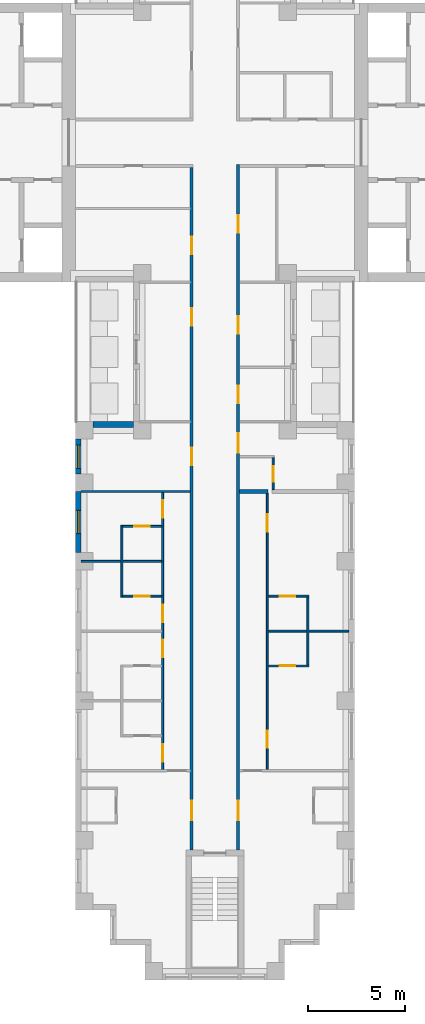
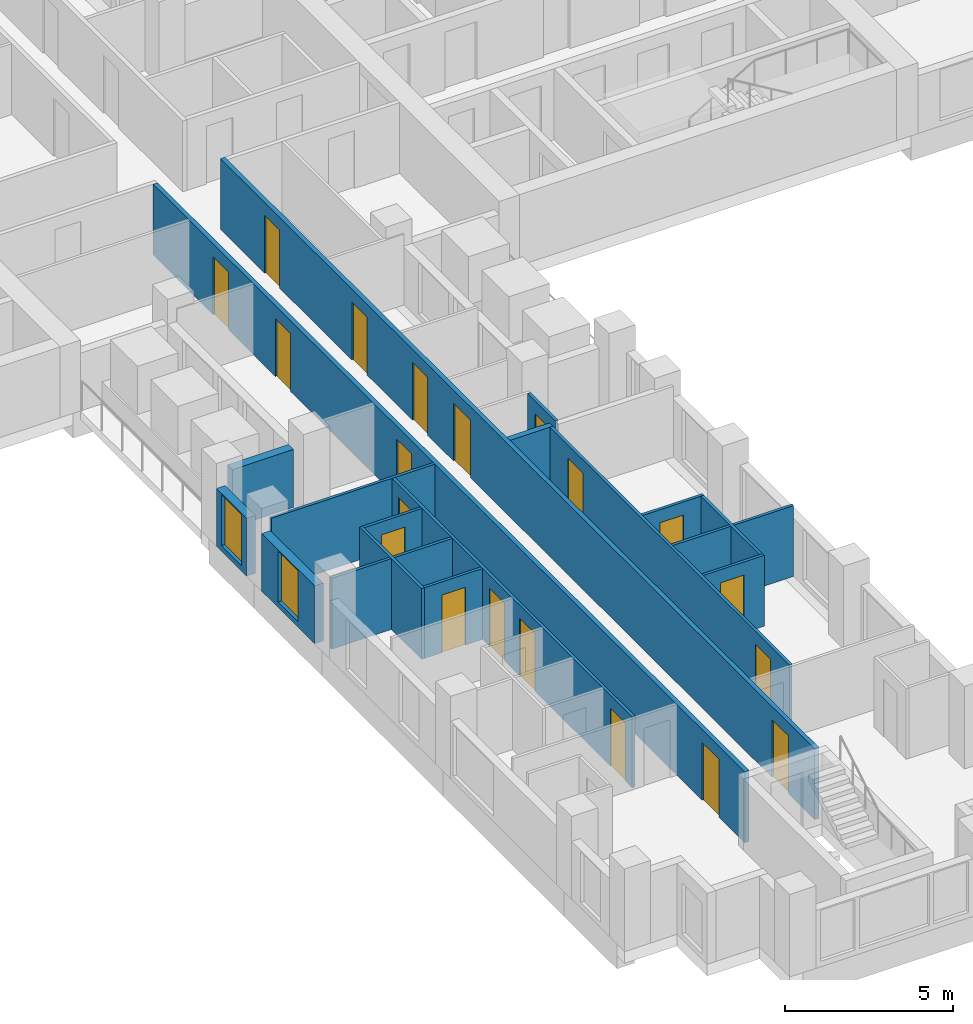
# One storey, part 4 of 13: 20 doors, 18 walls, 2 windows, 22 openings.
"""IFC4 building model written with IfcOpenShell, lengths in metres."""

from ifc_helpers import new_model, si_unit, direction, frame, frame_2d, origin, place, context, subcontext, project, spatial, rectangle, extrude, material, layer, layer_set, type_object, element, fill, save


model = new_model("IFC4")

# Units and contexts
model_context = context("Model", 3, precision=1e-05, world=origin(), true_north=direction((0.0, 1.0)))
body_context = subcontext(model_context, "Body", "Model", "MODEL_VIEW")
ifc_project = project(units=[si_unit("LENGTHUNIT", "METRE"), si_unit("AREAUNIT", "SQUARE_METRE"), si_unit("VOLUMEUNIT", "CUBIC_METRE"), si_unit("PLANEANGLEUNIT", "RADIAN"), si_unit("MASSUNIT", "GRAM", prefix="KILO")], contexts=[model_context])

# Site, building, storey
site_placement = place(None, origin())
site = spatial("IfcSite", under=ifc_project, at=site_placement, CompositionType="ELEMENT")
building_placement = place(site_placement, origin())
building = spatial("IfcBuilding", under=site, at=building_placement, Name="Fustian Cross Tower", CompositionType="ELEMENT")
storey_placement = place(building_placement, frame((0.0, 0.0, 84.89990234375)))
storey = spatial("IfcBuildingStorey", under=building, at=storey_placement, Name="L26", CompositionType="ELEMENT", Elevation=84.89990234375)

# Wall, openings, doors
ifc_material_1 = material(Name="Plasterboard on steel stud", Category="steel")
ifc_layer_1 = layer(ifc_material_1, 0.14990234375)
ifc_layer_set_1 = layer_set([ifc_layer_1], Name="Plasterboard on steel stud")
wall_type_1 = type_object("IfcWallType", Name="COMPARTMENT WALL 150 EI 60", PredefinedType="PARTITIONING", material=ifc_layer_set_1)
wall_1_placement = place(storey_placement, frame((-1.199951171875, -36.5, 0.0), z_axis=(0.0, 0.0, 1.0), x_axis=(0.0, 1.0, 0.0)))
wall_1 = element("IfcWall", 1, at=wall_1_placement, inside=storey, type_object=wall_type_1, Name="Partition 38", PredefinedType="PARTITIONING", context=body_context, shape_type="SweptSolid", body=[
    extrude(rectangle(XDim=35.22509765625, YDim=0.14990234375, at=frame_2d((17.612548828125, 0.0))), origin(), (0.0, 0.0, 1.0), 2.5751953125),
])
opening_1_placement = place(wall_1_placement, frame((30.75, 0.0, 0.0)))
opening_1 = element("IfcOpeningElement", 2, at=opening_1_placement, cuts=wall_1, Name="Opening D13008", PredefinedType="OPENING", context=body_context, shape_type="SweptSolid", body=[
    extrude(rectangle(XDim=0.89990234375, YDim=2.10009765625, at=frame_2d((0.449951171875, 1.050048828125))), frame((0.0, 0.0849609375, 0.0), z_axis=(0.0, -1.0, 0.0), x_axis=(1.0, 0.0, 0.0)), (0.0, 0.0, 1.0), 0.169921875),
])
opening_2_placement = place(wall_1_placement, frame((27.050048828125, 0.0, 0.0)))
opening_2 = element("IfcOpeningElement", 3, at=opening_2_placement, cuts=wall_1, Name="Opening D13043", PredefinedType="OPENING", context=body_context, shape_type="SweptSolid", body=[
    extrude(rectangle(XDim=0.89990234375, YDim=2.10009765625, at=frame_2d((0.449951171875, 1.050048828125))), frame((0.0, 0.0849609375, 0.0), z_axis=(0.0, -1.0, 0.0), x_axis=(1.0, 0.0, 0.0)), (0.0, 0.0, 1.0), 0.169921875),
])
opening_3_placement = place(wall_1_placement, frame((19.85009765625, 0.0, 0.0)))
opening_3 = element("IfcOpeningElement", 4, at=opening_3_placement, cuts=wall_1, Name="Opening D13044", PredefinedType="OPENING", context=body_context, shape_type="SweptSolid", body=[
    extrude(rectangle(XDim=0.89990234375, YDim=2.10009765625, at=frame_2d((0.449951171875, 1.050048828125))), frame((0.0, 0.0849609375, 0.0), z_axis=(0.0, -1.0, 0.0), x_axis=(1.0, 0.0, 0.0)), (0.0, 0.0, 1.0), 0.169921875),
])
opening_4_placement = place(wall_1_placement, frame((1.550048828125, 0.0, 0.0)))
opening_4 = element("IfcOpeningElement", 5, at=opening_4_placement, cuts=wall_1, Name="Opening D13046", PredefinedType="OPENING", context=body_context, shape_type="SweptSolid", body=[
    extrude(rectangle(XDim=1.0, YDim=2.10009765625, at=frame_2d((0.5, 1.050048828125))), frame((0.0, 0.0849609375, 0.0), z_axis=(0.0, -1.0, 0.0), x_axis=(1.0, 0.0, 0.0)), (0.0, 0.0, 1.0), 0.169921875),
])
ifc_material_2 = material(Name="Timber fire door set", Category="wood")
door_type_1 = type_object("IfcDoorType", Name="FIRE SWING DOOR 1000 FD30S", OperationType="SINGLE_SWING_LEFT", PredefinedType="DOOR", material=ifc_material_2)
door_1_placement = place(opening_4_placement, origin())
door_1 = element("IfcDoor", 6, at=door_1_placement, inside=storey, type_object=door_type_1, Name="Door D13046", OperationType="SINGLE_SWING_RIGHT", OverallHeight=2.10009765625, OverallWidth=1.0, PredefinedType="DOOR", context=body_context, shape_type="SweptSolid", body=[
    extrude(rectangle(XDim=1.0, YDim=2.10009765625, at=frame_2d((0.5, 1.050048828125))), frame((0.0, 0.02490234375, 0.0), z_axis=(0.0, -1.0, 0.0), x_axis=(1.0, 0.0, 0.0)), (0.0, 0.0, 1.0), 0.050048828125),
])
fill(opening_4, door_1)
ifc_material_3 = material(Name="Timber fire door set", Category="wood")
door_type_2 = type_object("IfcDoorType", Name="FIRE SWING DOOR 900 FD30S", OperationType="SINGLE_SWING_LEFT", PredefinedType="DOOR", material=ifc_material_3)
door_2_placement = place(opening_1_placement, origin())
door_2 = element("IfcDoor", 7, at=door_2_placement, inside=storey, type_object=door_type_2, Name="Door D13008", OperationType="SINGLE_SWING_RIGHT", OverallHeight=2.10009765625, OverallWidth=0.89990234375, PredefinedType="DOOR", context=body_context, shape_type="SweptSolid", body=[
    extrude(rectangle(XDim=0.89990234375, YDim=2.10009765625, at=frame_2d((0.449951171875, 1.050048828125))), frame((0.0, 0.02490234375, 0.0), z_axis=(0.0, -1.0, 0.0), x_axis=(1.0, 0.0, 0.0)), (0.0, 0.0, 1.0), 0.050048828125),
])
fill(opening_1, door_2)
door_3_placement = place(opening_2_placement, origin())
door_3 = element("IfcDoor", 8, at=door_3_placement, inside=storey, type_object=door_type_2, Name="Door D13043", OperationType="SINGLE_SWING_RIGHT", OverallHeight=2.10009765625, OverallWidth=0.89990234375, PredefinedType="DOOR", context=body_context, shape_type="SweptSolid", body=[
    extrude(rectangle(XDim=0.89990234375, YDim=2.10009765625, at=frame_2d((0.449951171875, 1.050048828125))), frame((0.0, 0.02490234375, 0.0), z_axis=(0.0, -1.0, 0.0), x_axis=(1.0, 0.0, 0.0)), (0.0, 0.0, 1.0), 0.050048828125),
])
fill(opening_2, door_3)
door_4_placement = place(opening_3_placement, origin())
door_4 = element("IfcDoor", 9, at=door_4_placement, inside=storey, type_object=door_type_2, Name="Door D13044", OperationType="SINGLE_SWING_LEFT", OverallHeight=2.10009765625, OverallWidth=0.89990234375, PredefinedType="DOOR", context=body_context, shape_type="SweptSolid", body=[
    extrude(rectangle(XDim=0.89990234375, YDim=2.10009765625, at=frame_2d((0.449951171875, 1.050048828125))), frame((0.0, 0.02490234375, 0.0), z_axis=(0.0, -1.0, 0.0), x_axis=(1.0, 0.0, 0.0)), (0.0, 0.0, 1.0), 0.050048828125),
])
fill(opening_3, door_4)

wall_2_placement = place(storey_placement, frame((1.199951171875, -36.5, 0.0), z_axis=(0.0, 0.0, 1.0), x_axis=(0.0, 1.0, 0.0)))
wall_2 = element("IfcWall", 10, at=wall_2_placement, inside=storey, type_object=wall_type_1, Name="Partition 41", PredefinedType="PARTITIONING", context=body_context, shape_type="SweptSolid", body=[
    extrude(rectangle(XDim=35.375, YDim=0.14990234375, at=frame_2d((17.6875, 0.0))), origin(), (0.0, 0.0, 1.0), 2.5751953125),
])
opening_5_placement = place(wall_2_placement, frame((31.85009765625, 0.0, 0.0)))
opening_5 = element("IfcOpeningElement", 11, at=opening_5_placement, cuts=wall_2, Name="Opening D13005", PredefinedType="OPENING", context=body_context, shape_type="SweptSolid", body=[
    extrude(rectangle(XDim=0.89990234375, YDim=2.10009765625, at=frame_2d((0.449951171875, 1.050048828125))), frame((0.0, 0.0849609375, 0.0), z_axis=(0.0, -1.0, 0.0), x_axis=(1.0, 0.0, 0.0)), (0.0, 0.0, 1.0), 0.169921875),
])
opening_6_placement = place(wall_2_placement, frame((23.050048828125, 0.0, 0.0)))
opening_6 = element("IfcOpeningElement", 12, at=opening_6_placement, cuts=wall_2, Name="Opening D13032", PredefinedType="OPENING", context=body_context, shape_type="SweptSolid", body=[
    extrude(rectangle(XDim=0.89990234375, YDim=2.10009765625, at=frame_2d((0.449951171875, 1.050048828125))), frame((0.0, 0.0849609375, 0.0), z_axis=(0.0, -1.0, 0.0), x_axis=(1.0, 0.0, 0.0)), (0.0, 0.0, 1.0), 0.169921875),
])
opening_7_placement = place(wall_2_placement, frame((26.64990234375, 0.0, 0.0)))
opening_7 = element("IfcOpeningElement", 13, at=opening_7_placement, cuts=wall_2, Name="Opening D13033", PredefinedType="OPENING", context=body_context, shape_type="SweptSolid", body=[
    extrude(rectangle(XDim=0.89990234375, YDim=2.10009765625, at=frame_2d((0.449951171875, 1.050048828125))), frame((0.0, 0.0849609375, 0.0), z_axis=(0.0, -1.0, 0.0), x_axis=(1.0, 0.0, 0.0)), (0.0, 0.0, 1.0), 0.169921875),
])
opening_8_placement = place(wall_2_placement, frame((20.5, 0.0, 0.0)))
opening_8 = element("IfcOpeningElement", 14, at=opening_8_placement, cuts=wall_2, Name="Opening D13035", PredefinedType="OPENING", context=body_context, shape_type="SweptSolid", body=[
    extrude(rectangle(XDim=1.0, YDim=2.10009765625, at=frame_2d((0.5, 1.050048828125))), frame((0.0, 0.0849609375, 0.0), z_axis=(0.0, -1.0, 0.0), x_axis=(1.0, 0.0, 0.0)), (0.0, 0.0, 1.0), 0.169921875),
])
opening_9_placement = place(wall_2_placement, frame((1.550048828125, 0.0, 0.0)))
opening_9 = element("IfcOpeningElement", 15, at=opening_9_placement, cuts=wall_2, Name="Opening D13037", PredefinedType="OPENING", context=body_context, shape_type="SweptSolid", body=[
    extrude(rectangle(XDim=1.0, YDim=2.10009765625, at=frame_2d((0.5, 1.050048828125))), frame((0.0, 0.0849609375, 0.0), z_axis=(0.0, -1.0, 0.0), x_axis=(1.0, 0.0, 0.0)), (0.0, 0.0, 1.0), 0.169921875),
])
door_5_placement = place(opening_8_placement, frame((1.0, 0.0, 0.0), z_axis=(0.0, 0.0, 1.0), x_axis=(-1.0, 0.0, 0.0)))
door_5 = element("IfcDoor", 16, at=door_5_placement, inside=storey, type_object=door_type_1, Name="Door D13035", OperationType="SINGLE_SWING_RIGHT", OverallHeight=2.10009765625, OverallWidth=1.0, PredefinedType="DOOR", context=body_context, shape_type="SweptSolid", body=[
    extrude(rectangle(XDim=1.0, YDim=2.10009765625, at=frame_2d((0.5, 1.050048828125))), frame((0.0, 0.02490234375, 0.0), z_axis=(0.0, -1.0, 0.0), x_axis=(1.0, 0.0, 0.0)), (0.0, 0.0, 1.0), 0.050048828125),
])
fill(opening_8, door_5)
door_6_placement = place(opening_9_placement, frame((1.0, 0.0, 0.0), z_axis=(0.0, 0.0, 1.0), x_axis=(-1.0, 0.0, 0.0)))
door_6 = element("IfcDoor", 17, at=door_6_placement, inside=storey, type_object=door_type_1, Name="Door D13037", OperationType="SINGLE_SWING_LEFT", OverallHeight=2.10009765625, OverallWidth=1.0, PredefinedType="DOOR", context=body_context, shape_type="SweptSolid", body=[
    extrude(rectangle(XDim=1.0, YDim=2.10009765625, at=frame_2d((0.5, 1.050048828125))), frame((0.0, 0.02490234375, 0.0), z_axis=(0.0, -1.0, 0.0), x_axis=(1.0, 0.0, 0.0)), (0.0, 0.0, 1.0), 0.050048828125),
])
fill(opening_9, door_6)
door_7_placement = place(opening_5_placement, frame((0.89990234375, 0.0, 0.0), z_axis=(0.0, 0.0, 1.0), x_axis=(-1.0, 0.0, 0.0)))
door_7 = element("IfcDoor", 18, at=door_7_placement, inside=storey, type_object=door_type_2, Name="Door D13005", OperationType="SINGLE_SWING_RIGHT", OverallHeight=2.10009765625, OverallWidth=0.89990234375, PredefinedType="DOOR", context=body_context, shape_type="SweptSolid", body=[
    extrude(rectangle(XDim=0.89990234375, YDim=2.10009765625, at=frame_2d((0.449951171875, 1.050048828125))), frame((0.0, 0.02490234375, 0.0), z_axis=(0.0, -1.0, 0.0), x_axis=(1.0, 0.0, 0.0)), (0.0, 0.0, 1.0), 0.050048828125),
])
fill(opening_5, door_7)
door_8_placement = place(opening_6_placement, frame((0.89990234375, 0.0, 0.0), z_axis=(0.0, 0.0, 1.0), x_axis=(-1.0, 0.0, 0.0)))
door_8 = element("IfcDoor", 19, at=door_8_placement, inside=storey, type_object=door_type_2, Name="Door D13032", OperationType="SINGLE_SWING_RIGHT", OverallHeight=2.10009765625, OverallWidth=0.89990234375, PredefinedType="DOOR", context=body_context, shape_type="SweptSolid", body=[
    extrude(rectangle(XDim=0.89990234375, YDim=2.10009765625, at=frame_2d((0.449951171875, 1.050048828125))), frame((0.0, 0.02490234375, 0.0), z_axis=(0.0, -1.0, 0.0), x_axis=(1.0, 0.0, 0.0)), (0.0, 0.0, 1.0), 0.050048828125),
])
fill(opening_6, door_8)
door_9_placement = place(opening_7_placement, frame((0.89990234375, 0.0, 0.0), z_axis=(0.0, 0.0, 1.0), x_axis=(-1.0, 0.0, 0.0)))
door_9 = element("IfcDoor", 20, at=door_9_placement, inside=storey, type_object=door_type_2, Name="Door D13033", OperationType="SINGLE_SWING_RIGHT", OverallHeight=2.10009765625, OverallWidth=0.89990234375, PredefinedType="DOOR", context=body_context, shape_type="SweptSolid", body=[
    extrude(rectangle(XDim=0.89990234375, YDim=2.10009765625, at=frame_2d((0.449951171875, 1.050048828125))), frame((0.0, 0.02490234375, 0.0), z_axis=(0.0, -1.0, 0.0), x_axis=(1.0, 0.0, 0.0)), (0.0, 0.0, 1.0), 0.050048828125),
])
fill(opening_7, door_9)

# Walls
ifc_material_4 = material(Name="Plasterboard on steel stud", Category="steel")
ifc_layer_2 = layer(ifc_material_4, 0.10009765625)
ifc_layer_set_2 = layer_set([ifc_layer_2], Name="Plasterboard on steel stud")
wall_type_2 = type_object("IfcWallType", Name="PARTITION 100 STUD", PredefinedType="PARTITIONING", material=ifc_layer_set_2)
wall_3_placement = place(storey_placement, frame((-6.89990234375, -21.60009765625, 0.0), z_axis=(0.0, 0.0, 1.0), x_axis=(1.0, 0.0, 0.0)))
element("IfcWall", 21, at=wall_3_placement, inside=storey, type_object=wall_type_2, Name="Partition 22", PredefinedType="PARTITIONING", context=body_context, shape_type="SweptSolid", body=[
    extrude(rectangle(XDim=4.14990234375, YDim=0.10009765625, at=frame_2d((2.074951171875, 0.0))), origin(), (0.0, 0.0, 1.0), 2.5751953125),
])
wall_4_placement = place(storey_placement, frame((-6.89990234375, -18.0, 0.0), z_axis=(0.0, 0.0, 1.0), x_axis=(1.0, 0.0, 0.0)))
element("IfcWall", 22, at=wall_4_placement, inside=storey, type_object=wall_type_2, Name="Partition 23", PredefinedType="PARTITIONING", context=body_context, shape_type="SweptSolid", body=[
    extrude(rectangle(XDim=5.625, YDim=0.10009765625, at=frame_2d((2.8125, 0.0))), origin(), (0.0, 0.0, 1.0), 2.5751953125),
])
wall_5_placement = place(storey_placement, frame((-4.800048828125, -23.449951171875, 0.0), z_axis=(0.0, 0.0, 1.0), x_axis=(0.0, 1.0, 0.0)))
element("IfcWall", 23, at=wall_5_placement, inside=storey, type_object=wall_type_2, Name="Partition 28", PredefinedType="PARTITIONING", context=body_context, shape_type="SweptSolid", body=[
    extrude(rectangle(XDim=3.699951171875, YDim=0.10009765625, at=frame_2d((1.85009765625, 0.0))), origin(), (0.0, 0.0, 1.0), 2.5751953125),
])

# Wall, opening, door
wall_6_placement = place(storey_placement, frame((-4.75, -23.39990234375, 0.0), z_axis=(0.0, 0.0, 1.0), x_axis=(1.0, 0.0, 0.0)))
wall_6 = element("IfcWall", 24, at=wall_6_placement, inside=storey, type_object=wall_type_2, Name="Partition 29", PredefinedType="PARTITIONING", context=body_context, shape_type="SweptSolid", body=[
    extrude(rectangle(XDim=2.0, YDim=0.10009765625, at=frame_2d((1.0, 0.0))), origin(), (0.0, 0.0, 1.0), 2.5751953125),
])
opening_10_placement = place(wall_6_placement, frame((0.60009765625, 0.0, 0.0)))
opening_10 = element("IfcOpeningElement", 25, at=opening_10_placement, cuts=wall_6, Name="Opening D13053", PredefinedType="OPENING", context=body_context, shape_type="SweptSolid", body=[
    extrude(rectangle(XDim=0.800048828125, YDim=2.10009765625, at=frame_2d((0.39990234375, 1.050048828125))), frame((0.0, 0.06005859375, 0.0), z_axis=(0.0, -1.0, 0.0), x_axis=(1.0, 0.0, 0.0)), (0.0, 0.0, 1.0), 0.1201171875),
])
ifc_material_5 = material(Name="Painted timber", Category="wood")
door_type_3 = type_object("IfcDoorType", Name="SWING DOOR 800", OperationType="SINGLE_SWING_LEFT", PredefinedType="DOOR", material=ifc_material_5)
door_10_placement = place(opening_10_placement, origin())
door_10 = element("IfcDoor", 26, at=door_10_placement, inside=storey, type_object=door_type_3, Name="Door D13053", OperationType="SINGLE_SWING_LEFT", OverallHeight=2.10009765625, OverallWidth=0.800048828125, PredefinedType="DOOR", context=body_context, shape_type="SweptSolid", body=[
    extrude(rectangle(XDim=0.800048828125, YDim=2.10009765625, at=frame_2d((0.39990234375, 1.050048828125))), frame((0.0, 0.02490234375, 0.0), z_axis=(0.0, -1.0, 0.0), x_axis=(1.0, 0.0, 0.0)), (0.0, 0.0, 1.0), 0.050048828125),
])
fill(opening_10, door_10)

wall_7_placement = place(storey_placement, frame((-4.75, -19.800048828125, 0.0), z_axis=(0.0, 0.0, 1.0), x_axis=(1.0, 0.0, 0.0)))
wall_7 = element("IfcWall", 27, at=wall_7_placement, inside=storey, type_object=wall_type_2, Name="Partition 30", PredefinedType="PARTITIONING", context=body_context, shape_type="SweptSolid", body=[
    extrude(rectangle(XDim=2.0, YDim=0.10009765625, at=frame_2d((1.0, 0.0))), origin(), (0.0, 0.0, 1.0), 2.5751953125),
])
opening_11_placement = place(wall_7_placement, frame((0.60009765625, 0.0, 0.0)))
opening_11 = element("IfcOpeningElement", 28, at=opening_11_placement, cuts=wall_7, Name="Opening D13052", PredefinedType="OPENING", context=body_context, shape_type="SweptSolid", body=[
    extrude(rectangle(XDim=0.800048828125, YDim=2.10009765625, at=frame_2d((0.39990234375, 1.050048828125))), frame((0.0, 0.06005859375, 0.0), z_axis=(0.0, -1.0, 0.0), x_axis=(1.0, 0.0, 0.0)), (0.0, 0.0, 1.0), 0.1201171875),
])
door_11_placement = place(opening_11_placement, frame((0.800048828125, 0.0, 0.0), z_axis=(0.0, 0.0, 1.0), x_axis=(-1.0, 0.0, 0.0)))
door_11 = element("IfcDoor", 29, at=door_11_placement, inside=storey, type_object=door_type_3, Name="Door D13052", OperationType="SINGLE_SWING_RIGHT", OverallHeight=2.10009765625, OverallWidth=0.800048828125, PredefinedType="DOOR", context=body_context, shape_type="SweptSolid", body=[
    extrude(rectangle(XDim=0.800048828125, YDim=2.10009765625, at=frame_2d((0.39990234375, 1.050048828125))), frame((0.0, 0.02490234375, 0.0), z_axis=(0.0, -1.0, 0.0), x_axis=(1.0, 0.0, 0.0)), (0.0, 0.0, 1.0), 0.050048828125),
])
fill(opening_11, door_11)

# Wall, openings, doors
wall_8_placement = place(storey_placement, frame((-2.699951171875, -32.35009765625, 0.0), z_axis=(0.0, 0.0, 1.0), x_axis=(0.0, 1.0, 0.0)))
wall_8 = element("IfcWall", 30, at=wall_8_placement, inside=storey, type_object=wall_type_2, Name="Partition 37", PredefinedType="PARTITIONING", context=body_context, shape_type="SweptSolid", body=[
    extrude(rectangle(XDim=14.300048828125, YDim=0.10009765625, at=frame_2d((7.14990234375, 0.0))), origin(), (0.0, 0.0, 1.0), 2.5751953125),
])
opening_12_placement = place(wall_8_placement, frame((0.400146484375, 0.0, 0.0)))
opening_12 = element("IfcOpeningElement", 31, at=opening_12_placement, cuts=wall_8, Name="Opening D13047", PredefinedType="OPENING", context=body_context, shape_type="SweptSolid", body=[
    extrude(rectangle(XDim=0.89990234375, YDim=2.10009765625, at=frame_2d((0.449951171875, 1.050048828125))), frame((0.0, 0.06005859375, 0.0), z_axis=(0.0, -1.0, 0.0), x_axis=(1.0, 0.0, 0.0)), (0.0, 0.0, 1.0), 0.1201171875),
])
opening_13_placement = place(wall_8_placement, frame((5.800048828125, 0.0, 0.0)))
opening_13 = element("IfcOpeningElement", 32, at=opening_13_placement, cuts=wall_8, Name="Opening D13048", PredefinedType="OPENING", context=body_context, shape_type="SweptSolid", body=[
    extrude(rectangle(XDim=0.89990234375, YDim=2.10009765625, at=frame_2d((0.449951171875, 1.050048828125))), frame((0.0, 0.06005859375, 0.0), z_axis=(0.0, -1.0, 0.0), x_axis=(1.0, 0.0, 0.0)), (0.0, 0.0, 1.0), 0.1201171875),
])
opening_14_placement = place(wall_8_placement, frame((7.60009765625, 0.0, 0.0)))
opening_14 = element("IfcOpeningElement", 33, at=opening_14_placement, cuts=wall_8, Name="Opening D13049", PredefinedType="OPENING", context=body_context, shape_type="SweptSolid", body=[
    extrude(rectangle(XDim=0.89990234375, YDim=2.10009765625, at=frame_2d((0.449951171875, 1.050048828125))), frame((0.0, 0.06005859375, 0.0), z_axis=(0.0, -1.0, 0.0), x_axis=(1.0, 0.0, 0.0)), (0.0, 0.0, 1.0), 0.1201171875),
])
opening_15_placement = place(wall_8_placement, frame((13.0, 0.0, 0.0)))
opening_15 = element("IfcOpeningElement", 34, at=opening_15_placement, cuts=wall_8, Name="Opening D13050", PredefinedType="OPENING", context=body_context, shape_type="SweptSolid", body=[
    extrude(rectangle(XDim=0.89990234375, YDim=2.10009765625, at=frame_2d((0.449951171875, 1.050048828125))), frame((0.0, 0.06005859375, 0.0), z_axis=(0.0, -1.0, 0.0), x_axis=(1.0, 0.0, 0.0)), (0.0, 0.0, 1.0), 0.1201171875),
])
ifc_material_6 = material(Name="Painted timber", Category="wood")
door_type_4 = type_object("IfcDoorType", Name="SWING DOOR 900", OperationType="SINGLE_SWING_LEFT", PredefinedType="DOOR", material=ifc_material_6)
door_12_placement = place(opening_12_placement, origin())
door_12 = element("IfcDoor", 35, at=door_12_placement, inside=storey, type_object=door_type_4, Name="Door D13047", OperationType="SINGLE_SWING_LEFT", OverallHeight=2.10009765625, OverallWidth=0.89990234375, PredefinedType="DOOR", context=body_context, shape_type="SweptSolid", body=[
    extrude(rectangle(XDim=0.89990234375, YDim=2.10009765625, at=frame_2d((0.449951171875, 1.050048828125))), frame((0.0, 0.02490234375, 0.0), z_axis=(0.0, -1.0, 0.0), x_axis=(1.0, 0.0, 0.0)), (0.0, 0.0, 1.0), 0.050048828125),
])
fill(opening_12, door_12)
door_13_placement = place(opening_13_placement, origin())
door_13 = element("IfcDoor", 36, at=door_13_placement, inside=storey, type_object=door_type_4, Name="Door D13048", OperationType="SINGLE_SWING_LEFT", OverallHeight=2.10009765625, OverallWidth=0.89990234375, PredefinedType="DOOR", context=body_context, shape_type="SweptSolid", body=[
    extrude(rectangle(XDim=0.89990234375, YDim=2.10009765625, at=frame_2d((0.449951171875, 1.050048828125))), frame((0.0, 0.02490234375, 0.0), z_axis=(0.0, -1.0, 0.0), x_axis=(1.0, 0.0, 0.0)), (0.0, 0.0, 1.0), 0.050048828125),
])
fill(opening_13, door_13)
door_14_placement = place(opening_14_placement, origin())
door_14 = element("IfcDoor", 37, at=door_14_placement, inside=storey, type_object=door_type_4, Name="Door D13049", OperationType="SINGLE_SWING_LEFT", OverallHeight=2.10009765625, OverallWidth=0.89990234375, PredefinedType="DOOR", context=body_context, shape_type="SweptSolid", body=[
    extrude(rectangle(XDim=0.89990234375, YDim=2.10009765625, at=frame_2d((0.449951171875, 1.050048828125))), frame((0.0, 0.02490234375, 0.0), z_axis=(0.0, -1.0, 0.0), x_axis=(1.0, 0.0, 0.0)), (0.0, 0.0, 1.0), 0.050048828125),
])
fill(opening_14, door_14)
door_15_placement = place(opening_15_placement, origin())
door_15 = element("IfcDoor", 38, at=door_15_placement, inside=storey, type_object=door_type_4, Name="Door D13050", OperationType="SINGLE_SWING_LEFT", OverallHeight=2.10009765625, OverallWidth=0.89990234375, PredefinedType="DOOR", context=body_context, shape_type="SweptSolid", body=[
    extrude(rectangle(XDim=0.89990234375, YDim=2.10009765625, at=frame_2d((0.449951171875, 1.050048828125))), frame((0.0, 0.02490234375, 0.0), z_axis=(0.0, -1.0, 0.0), x_axis=(1.0, 0.0, 0.0)), (0.0, 0.0, 1.0), 0.050048828125),
])
fill(opening_15, door_15)

wall_9_placement = place(storey_placement, frame((2.699951171875, -32.35009765625, 0.0), z_axis=(0.0, 0.0, 1.0), x_axis=(0.0, 1.0, 0.0)))
wall_9 = element("IfcWall", 39, at=wall_9_placement, inside=storey, type_object=wall_type_2, Name="Partition 56", PredefinedType="PARTITIONING", context=body_context, shape_type="SweptSolid", body=[
    extrude(rectangle(XDim=14.25, YDim=0.10009765625, at=frame_2d((7.125, 0.0))), origin(), (0.0, 0.0, 1.0), 2.5751953125),
])
opening_16_placement = place(wall_9_placement, frame((1.1201171875, 0.0, 0.0)))
opening_16 = element("IfcOpeningElement", 40, at=opening_16_placement, cuts=wall_9, Name="Opening D13039", PredefinedType="OPENING", context=body_context, shape_type="SweptSolid", body=[
    extrude(rectangle(XDim=0.89990234375, YDim=2.10009765625, at=frame_2d((0.449951171875, 1.050048828125))), frame((0.0, 0.06005859375, 0.0), z_axis=(0.0, -1.0, 0.0), x_axis=(1.0, 0.0, 0.0)), (0.0, 0.0, 1.0), 0.1201171875),
])
opening_17_placement = place(wall_9_placement, frame((12.280029296875, 0.0, 0.0)))
opening_17 = element("IfcOpeningElement", 41, at=opening_17_placement, cuts=wall_9, Name="Opening D13040", PredefinedType="OPENING", context=body_context, shape_type="SweptSolid", body=[
    extrude(rectangle(XDim=0.89990234375, YDim=2.10009765625, at=frame_2d((0.449951171875, 1.050048828125))), frame((0.0, 0.06005859375, 0.0), z_axis=(0.0, -1.0, 0.0), x_axis=(1.0, 0.0, 0.0)), (0.0, 0.0, 1.0), 0.1201171875),
])
door_16_placement = place(opening_16_placement, origin())
door_16 = element("IfcDoor", 42, at=door_16_placement, inside=storey, type_object=door_type_4, Name="Door D13039", OperationType="SINGLE_SWING_LEFT", OverallHeight=2.10009765625, OverallWidth=0.89990234375, PredefinedType="DOOR", context=body_context, shape_type="SweptSolid", body=[
    extrude(rectangle(XDim=0.89990234375, YDim=2.10009765625, at=frame_2d((0.449951171875, 1.050048828125))), frame((0.0, 0.02490234375, 0.0), z_axis=(0.0, -1.0, 0.0), x_axis=(1.0, 0.0, 0.0)), (0.0, 0.0, 1.0), 0.050048828125),
])
fill(opening_16, door_16)
door_17_placement = place(opening_17_placement, origin())
door_17 = element("IfcDoor", 43, at=door_17_placement, inside=storey, type_object=door_type_4, Name="Door D13040", OperationType="SINGLE_SWING_RIGHT", OverallHeight=2.10009765625, OverallWidth=0.89990234375, PredefinedType="DOOR", context=body_context, shape_type="SweptSolid", body=[
    extrude(rectangle(XDim=0.89990234375, YDim=2.10009765625, at=frame_2d((0.449951171875, 1.050048828125))), frame((0.0, 0.02490234375, 0.0), z_axis=(0.0, -1.0, 0.0), x_axis=(1.0, 0.0, 0.0)), (0.0, 0.0, 1.0), 0.050048828125),
])
fill(opening_17, door_17)

# Wall, opening, door
wall_10_placement = place(storey_placement, frame((2.75, -27.0, 0.0), z_axis=(0.0, 0.0, 1.0), x_axis=(1.0, 0.0, 0.0)))
wall_10 = element("IfcWall", 44, at=wall_10_placement, inside=storey, type_object=wall_type_2, Name="Partition 57", PredefinedType="PARTITIONING", context=body_context, shape_type="SweptSolid", body=[
    extrude(rectangle(XDim=2.10009765625, YDim=0.10009765625, at=frame_2d((1.050048828125, 0.0))), origin(), (0.0, 0.0, 1.0), 2.5751953125),
])
opening_18_placement = place(wall_10_placement, frame((0.60009765625, 0.0, 0.0)))
opening_18 = element("IfcOpeningElement", 45, at=opening_18_placement, cuts=wall_10, Name="Opening D13042", PredefinedType="OPENING", context=body_context, shape_type="SweptSolid", body=[
    extrude(rectangle(XDim=0.800048828125, YDim=2.10009765625, at=frame_2d((0.39990234375, 1.050048828125))), frame((0.0, 0.06005859375, 0.0), z_axis=(0.0, -1.0, 0.0), x_axis=(1.0, 0.0, 0.0)), (0.0, 0.0, 1.0), 0.1201171875),
])
door_18_placement = place(opening_18_placement, origin())
door_18 = element("IfcDoor", 46, at=door_18_placement, inside=storey, type_object=door_type_3, Name="Door D13042", OperationType="SINGLE_SWING_LEFT", OverallHeight=2.10009765625, OverallWidth=0.800048828125, PredefinedType="DOOR", context=body_context, shape_type="SweptSolid", body=[
    extrude(rectangle(XDim=0.800048828125, YDim=2.10009765625, at=frame_2d((0.39990234375, 1.050048828125))), frame((0.0, 0.02490234375, 0.0), z_axis=(0.0, -1.0, 0.0), x_axis=(1.0, 0.0, 0.0)), (0.0, 0.0, 1.0), 0.050048828125),
])
fill(opening_18, door_18)

# Wall
wall_11_placement = place(storey_placement, frame((2.75, -25.199951171875, 0.0), z_axis=(0.0, 0.0, 1.0), x_axis=(1.0, 0.0, 0.0)))
element("IfcWall", 47, at=wall_11_placement, inside=storey, type_object=wall_type_2, Name="Partition 58", PredefinedType="PARTITIONING", context=body_context, shape_type="SweptSolid", body=[
    extrude(rectangle(XDim=4.14990234375, YDim=0.10009765625, at=frame_2d((2.074951171875, 0.0))), origin(), (0.0, 0.0, 1.0), 2.5751953125),
])

# Wall, opening, door
wall_12_placement = place(storey_placement, frame((2.75, -23.39990234375, 0.0), z_axis=(0.0, 0.0, 1.0), x_axis=(1.0, 0.0, 0.0)))
wall_12 = element("IfcWall", 48, at=wall_12_placement, inside=storey, type_object=wall_type_2, Name="Partition 59", PredefinedType="PARTITIONING", context=body_context, shape_type="SweptSolid", body=[
    extrude(rectangle(XDim=2.10009765625, YDim=0.10009765625, at=frame_2d((1.050048828125, 0.0))), origin(), (0.0, 0.0, 1.0), 2.5751953125),
])
opening_19_placement = place(wall_12_placement, frame((0.60009765625, 0.0, 0.0)))
opening_19 = element("IfcOpeningElement", 49, at=opening_19_placement, cuts=wall_12, Name="Opening D13041", PredefinedType="OPENING", context=body_context, shape_type="SweptSolid", body=[
    extrude(rectangle(XDim=0.800048828125, YDim=2.10009765625, at=frame_2d((0.39990234375, 1.050048828125))), frame((0.0, 0.06005859375, 0.0), z_axis=(0.0, -1.0, 0.0), x_axis=(1.0, 0.0, 0.0)), (0.0, 0.0, 1.0), 0.1201171875),
])
door_19_placement = place(opening_19_placement, frame((0.800048828125, 0.0, 0.0), z_axis=(0.0, 0.0, 1.0), x_axis=(-1.0, 0.0, 0.0)))
door_19 = element("IfcDoor", 50, at=door_19_placement, inside=storey, type_object=door_type_3, Name="Door D13041", OperationType="SINGLE_SWING_RIGHT", OverallHeight=2.10009765625, OverallWidth=0.800048828125, PredefinedType="DOOR", context=body_context, shape_type="SweptSolid", body=[
    extrude(rectangle(XDim=0.800048828125, YDim=2.10009765625, at=frame_2d((0.39990234375, 1.050048828125))), frame((0.0, 0.02490234375, 0.0), z_axis=(0.0, -1.0, 0.0), x_axis=(1.0, 0.0, 0.0)), (0.0, 0.0, 1.0), 0.050048828125),
])
fill(opening_19, door_19)

wall_13_placement = place(storey_placement, frame((3.0, -17.89990234375, 0.0), z_axis=(0.0, 0.0, 1.0), x_axis=(0.0, 1.0, 0.0)))
wall_13 = element("IfcWall", 51, at=wall_13_placement, inside=storey, type_object=wall_type_2, Name="Partition 60", PredefinedType="PARTITIONING", context=body_context, shape_type="SweptSolid", body=[
    extrude(rectangle(XDim=1.64990234375, YDim=0.10009765625, at=frame_2d((0.824951171875, 0.0))), origin(), (0.0, 0.0, 1.0), 2.5751953125),
])
opening_20_placement = place(wall_13_placement, frame((0.39990234375, 0.0, 0.0)))
opening_20 = element("IfcOpeningElement", 52, at=opening_20_placement, cuts=wall_13, Name="Opening D13034", PredefinedType="OPENING", context=body_context, shape_type="SweptSolid", body=[
    extrude(rectangle(XDim=0.800048828125, YDim=2.10009765625, at=frame_2d((0.39990234375, 1.050048828125))), frame((0.0, 0.06005859375, 0.0), z_axis=(0.0, -1.0, 0.0), x_axis=(1.0, 0.0, 0.0)), (0.0, 0.0, 1.0), 0.1201171875),
])
door_20_placement = place(opening_20_placement, origin())
door_20 = element("IfcDoor", 53, at=door_20_placement, inside=storey, type_object=door_type_3, Name="Door D13034", OperationType="SINGLE_SWING_RIGHT", OverallHeight=2.10009765625, OverallWidth=0.800048828125, PredefinedType="DOOR", context=body_context, shape_type="SweptSolid", body=[
    extrude(rectangle(XDim=0.800048828125, YDim=2.10009765625, at=frame_2d((0.39990234375, 1.050048828125))), frame((0.0, 0.02490234375, 0.0), z_axis=(0.0, -1.0, 0.0), x_axis=(1.0, 0.0, 0.0)), (0.0, 0.0, 1.0), 0.050048828125),
])
fill(opening_20, door_20)

# Walls
wall_14_placement = place(storey_placement, frame((4.800048828125, -26.949951171875, 0.0), z_axis=(0.0, 0.0, 1.0), x_axis=(0.0, 1.0, 0.0)))
element("IfcWall", 54, at=wall_14_placement, inside=storey, type_object=wall_type_2, Name="Partition 65", PredefinedType="PARTITIONING", context=body_context, shape_type="SweptSolid", body=[
    extrude(rectangle(XDim=3.5, YDim=0.10009765625, at=frame_2d((1.75, 0.0))), origin(), (0.0, 0.0, 1.0), 2.5751953125),
])
ifc_material_7 = material(Name="Plasterboard on steel stud", Category="steel")
ifc_layer_3 = layer(ifc_material_7, 0.199951171875)
ifc_layer_set_3 = layer_set([ifc_layer_3], Name="Plasterboard on steel stud")
wall_type_3 = type_object("IfcWallType", Name="PARTY WALL 200 EI 60", PredefinedType="PARTITIONING", material=ifc_layer_set_3)
wall_15_placement = place(storey_placement, frame((1.27490234375, -18.0, 0.0), z_axis=(0.0, 0.0, 1.0), x_axis=(1.0, 0.0, 0.0)))
element("IfcWall", 55, at=wall_15_placement, inside=storey, type_object=wall_type_3, Name="Partition 43", PredefinedType="PARTITIONING", context=body_context, shape_type="SweptSolid", body=[
    extrude(rectangle(XDim=1.47509765625, YDim=0.199951171875, at=frame_2d((0.737548828125, 0.0))), origin(), (0.0, 0.0, 1.0), 2.5751953125),
])
ifc_material_8 = material(Name="Dark aluminium cladding on insulated backing wall", Category="aluminium")
ifc_layer_4 = layer(ifc_material_8, 0.300048828125)
ifc_layer_set_4 = layer_set([ifc_layer_4], Name="Dark aluminium cladding on insulated backing wall")
wall_type_4 = type_object("IfcWallType", Name="XW1 EXTERNAL WALL 300", PredefinedType="SOLIDWALL", material=ifc_layer_set_4)
wall_16_placement = place(storey_placement, frame((-4.199951171875, -14.550048828125, 0.0), z_axis=(0.0, 0.0, 1.0), x_axis=(-1.0, 0.0, 0.0)))
element("IfcWall", 56, at=wall_16_placement, inside=storey, type_object=wall_type_4, Name="External wall", PredefinedType="SOLIDWALL", context=body_context, shape_type="SweptSolid", body=[
    extrude(rectangle(XDim=2.10009765625, YDim=0.300048828125, at=frame_2d((1.050048828125, 0.0))), origin(), (0.0, 0.0, 1.0), 2.10009765625),
])

# Wall, opening, window
wall_17_placement = place(storey_placement, frame((-7.050048828125, -15.300048828125, 0.0), z_axis=(0.0, 0.0, 1.0), x_axis=(0.0, -1.0, 0.0)))
wall_17 = element("IfcWall", 57, at=wall_17_placement, inside=storey, type_object=wall_type_4, Name="External wall", PredefinedType="SOLIDWALL", context=body_context, shape_type="SweptSolid", body=[
    extrude(rectangle(XDim=1.800048828125, YDim=0.300048828125, at=frame_2d((0.89990234375, 0.0))), origin(), (0.0, 0.0, 1.0), 2.10009765625),
])
opening_21_placement = place(wall_17_placement, frame((0.300048828125, 0.0, 0.199951171875)))
opening_21 = element("IfcOpeningElement", 58, at=opening_21_placement, cuts=wall_17, Name="Opening WN3", PredefinedType="OPENING", context=body_context, shape_type="SweptSolid", body=[
    extrude(rectangle(XDim=1.199951171875, YDim=1.85009765625, at=frame_2d((0.60009765625, 0.925048828125))), frame((0.0, 0.159912109375, 0.0), z_axis=(0.0, -1.0, 0.0), x_axis=(1.0, 0.0, 0.0)), (0.0, 0.0, 1.0), 0.320068359375),
])
ifc_material_9 = material(Name="Dark anodised aluminium and double glazing", Category="aluminium")
window_type = type_object("IfcWindowType", Name="WN3 WINDOW 1200X1850", PartitioningType="SINGLE_PANEL", PredefinedType="WINDOW", material=ifc_material_9)
window_1_placement = place(opening_21_placement, origin())
window_1 = element("IfcWindow", 59, at=window_1_placement, inside=storey, type_object=window_type, Name="Window", OverallHeight=1.85009765625, OverallWidth=1.199951171875, PartitioningType="SINGLE_PANEL", PredefinedType="WINDOW", context=body_context, shape_type="SweptSolid", body=[
    extrude(rectangle(XDim=1.199951171875, YDim=1.85009765625, at=frame_2d((0.60009765625, 0.925048828125))), frame((0.0, 0.030029296875, 0.0), z_axis=(0.0, -1.0, 0.0), x_axis=(1.0, 0.0, 0.0)), (0.0, 0.0, 1.0), 0.06005859375),
])
fill(opening_21, window_1)

wall_18_placement = place(storey_placement, frame((-7.050048828125, -18.0, 0.0), z_axis=(0.0, 0.0, 1.0), x_axis=(0.0, -1.0, 0.0)))
wall_18 = element("IfcWall", 60, at=wall_18_placement, inside=storey, type_object=wall_type_4, Name="External wall", PredefinedType="SOLIDWALL", context=body_context, shape_type="SweptSolid", body=[
    extrude(rectangle(XDim=3.14990234375, YDim=0.300048828125, at=frame_2d((1.574951171875, 0.0))), origin(), (0.0, 0.0, 1.0), 2.10009765625),
])
opening_22_placement = place(wall_18_placement, frame((0.97509765625, 0.0, 0.199951171875)))
opening_22 = element("IfcOpeningElement", 61, at=opening_22_placement, cuts=wall_18, Name="Opening WN3", PredefinedType="OPENING", context=body_context, shape_type="SweptSolid", body=[
    extrude(rectangle(XDim=1.199951171875, YDim=1.85009765625, at=frame_2d((0.60009765625, 0.925048828125))), frame((0.0, 0.159912109375, 0.0), z_axis=(0.0, -1.0, 0.0), x_axis=(1.0, 0.0, 0.0)), (0.0, 0.0, 1.0), 0.320068359375),
])
window_2_placement = place(opening_22_placement, origin())
window_2 = element("IfcWindow", 62, at=window_2_placement, inside=storey, type_object=window_type, Name="Window", OverallHeight=1.85009765625, OverallWidth=1.199951171875, PartitioningType="SINGLE_PANEL", PredefinedType="WINDOW", context=body_context, shape_type="SweptSolid", body=[
    extrude(rectangle(XDim=1.199951171875, YDim=1.85009765625, at=frame_2d((0.60009765625, 0.925048828125))), frame((0.0, 0.030029296875, 0.0), z_axis=(0.0, -1.0, 0.0), x_axis=(1.0, 0.0, 0.0)), (0.0, 0.0, 1.0), 0.06005859375),
])
fill(opening_22, window_2)

save(model, "model.ifc")
